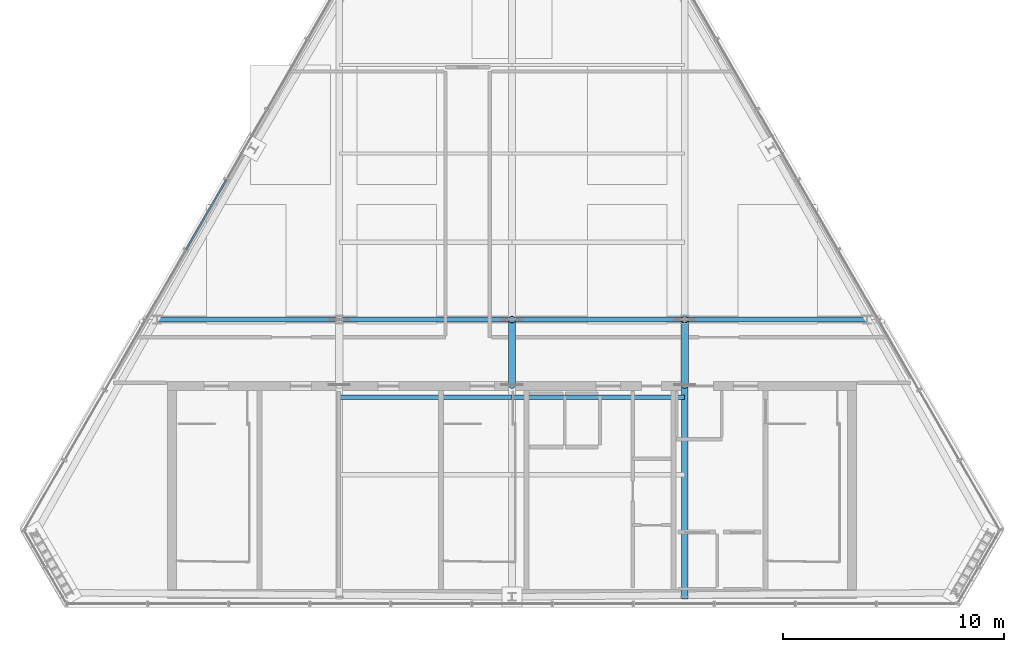
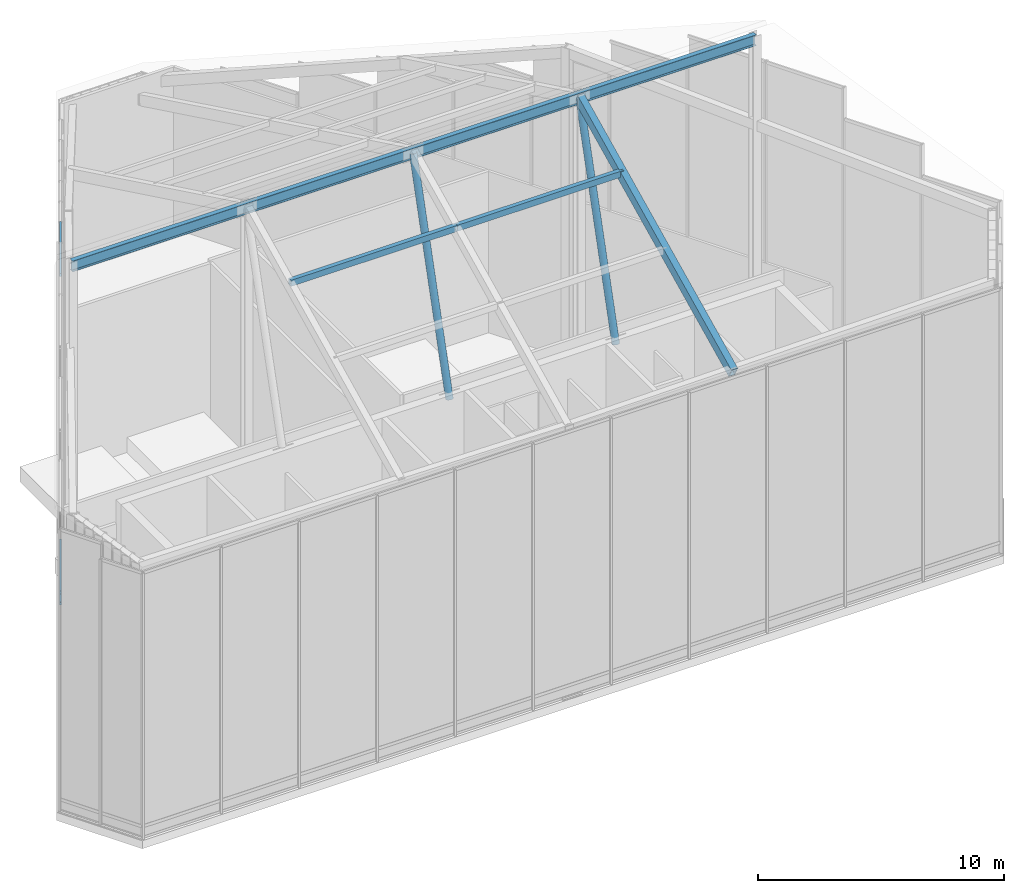
# One storey, part 16 of 36: 8 members, 1 beam, 1 element without a shape of its own.
"""IFC4 building model written with IfcOpenShell, lengths in metres."""

from ifc_helpers import new_model, si_unit, direction, frame, origin, origin_2d, place, context, subcontext, project, spatial, hollow_rectangle, hollow_circle, i_section, extrude, material, layer, layer_set, material_profile, profile_set, type_object, element, aggregate, save


model = new_model("IFC4")

# Units and contexts
model_context = context("Model", 3, precision=1e-05, world=origin(), true_north=direction((0.0, 1.0)))
body_context = subcontext(model_context, "Body", "Model", "MODEL_VIEW")
ifc_project = project(units=[si_unit("LENGTHUNIT", "METRE"), si_unit("AREAUNIT", "SQUARE_METRE"), si_unit("VOLUMEUNIT", "CUBIC_METRE"), si_unit("PLANEANGLEUNIT", "RADIAN"), si_unit("MASSUNIT", "GRAM", prefix="KILO")], contexts=[model_context])

# Site, building, storey
site_placement = place(None, origin())
site = spatial("IfcSite", under=ifc_project, at=site_placement, CompositionType="ELEMENT")
building_placement = place(site_placement, origin())
building = spatial("IfcBuilding", under=site, at=building_placement, Name="Ndaravel Arena Tower", CompositionType="ELEMENT")
storey_placement = place(building_placement, frame((0.0, 0.0, 308.10009765625)))
storey = spatial("IfcBuildingStorey", under=building, at=storey_placement, Name="Roof Crown", CompositionType="ELEMENT", Elevation=308.10009765625)

# Beam
ifc_material_1 = material(Name="Steel S355", Category="steel")
ifc_material_profile_1 = material_profile(ifc_material_1, i_section(OverallWidth=0.210693359375, OverallDepth=0.53955078125, WebThickness=0.01171875, FlangeThickness=0.018798828125, FilletRadius=0.0126953125, at=origin_2d()), Name="UB 533x210x109")
ifc_profile_set_1 = profile_set([ifc_material_profile_1], Name="Steel S355")
beam_type = type_object("IfcBeamType", Name="BM-GIRD-UB533", PredefinedType="BEAM", material=ifc_profile_set_1)
beam_placement = place(storey_placement, frame((25.966552734375, 18.0, 19.19091796875), z_axis=(1.0, 0.0, 0.0), x_axis=(0.0, 1.0, 0.0)))
element("IfcBeam", 1, at=beam_placement, inside=storey, type_object=beam_type, Name="Crown Main Ridge Girder CRG-01", PredefinedType="BEAM", context=body_context, shape_type="SweptSolid", body=[
    extrude(i_section(OverallWidth=0.210693359375, OverallDepth=0.53955078125, WebThickness=0.01171875, FlangeThickness=0.018798828125, FilletRadius=0.0126953125, at=origin_2d()), origin(), (0.0, 0.0, 1.0), 32.06689453125),
])

# Members
ifc_material_2 = material(Name="Steel S355", Category="steel")
ifc_material_profile_2 = material_profile(ifc_material_2, hollow_rectangle(XDim=0.199951171875, YDim=0.300048828125, WallThickness=0.012451171875, at=origin_2d()), Name="RHS 300x200x12.5")
ifc_profile_set_2 = profile_set([ifc_material_profile_2], Name="Steel S355")
member_type_1 = type_object("IfcMemberType", Name="MEM-CRN-PURLIN1", PredefinedType="PURLIN", material=ifc_profile_set_2)
for number, where, z_axis, x_axis, name in (
    (2, (34.199951171875, 14.5, 17.593505859375), (1.0, 0.0, 0.0), (0.0, 1.0, 0.0), "Crown Roof Purlin West CRP-A2"),
    (3, (42.0, 14.5, 17.593505859375), (1.0, 0.0, 0.0), (0.0, 1.0, 0.0), "Crown Roof Purlin East CRP-B2"),
):
    element("IfcMember", number, at=place(storey_placement, frame(where, z_axis=z_axis, x_axis=x_axis)), inside=storey, type_object=member_type_1, Name=name, PredefinedType="PURLIN", context=body_context, shape_type="SweptSolid", body=[
        extrude(hollow_rectangle(XDim=0.199951171875, YDim=0.300048828125, WallThickness=0.012451171875, at=origin_2d()), origin(), (0.0, 0.0, 1.0), 7.800048828125),
    ])
ifc_material_3 = material(Name="Steel S355", Category="steel")
ifc_material_profile_3 = material_profile(ifc_material_3, hollow_rectangle(XDim=0.300048828125, YDim=0.5, WallThickness=0.02001953125, at=origin_2d()), Name="RHS 500x300x20")
ifc_profile_set_3 = profile_set([ifc_material_profile_3], Name="Steel S355")
member_type_2 = type_object("IfcMemberType", Name="MEM-CRN-RAFTER", PredefinedType="RAFTER", material=ifc_profile_set_3)
member_1_placement = place(storey_placement, frame((49.800048828125, 5.5, 13.11376953125), z_axis=(0.0, 0.900208834512, 0.435458441491), x_axis=(-1.0, 0.0, 0.0)))
element("IfcMember", 4, at=member_1_placement, inside=storey, type_object=member_type_2, Name="Crown South Sloped Rafter CSR-3", PredefinedType="RAFTER", context=body_context, shape_type="SweptSolid", body=[
    extrude(hollow_rectangle(XDim=0.300048828125, YDim=0.5, WallThickness=0.02001953125, at=origin_2d()), origin(), (0.0, 0.0, 1.0), 13.8857421875),
])
ifc_material_4 = material(Name="Steel S355", Category="steel")
ifc_material_profile_4 = material_profile(ifc_material_4, hollow_circle(Radius=0.161865234375, WallThickness=0.012451171875, at=origin_2d()), Name="CHS 323.9x12.5")
ifc_profile_set_4 = profile_set([ifc_material_profile_4], Name="Steel S355")
member_type_3 = type_object("IfcMemberType", Name="MEM-CRN-STRUT", PredefinedType="STRUT", material=ifc_profile_set_4)
for number, where, z_axis, x_axis, name in (
    (5, (42.0, 15.050048828125, 8.75), (0.0, 0.272631465331, 0.962118539532), (-1.0, 0.0, 0.0), "Crown Ridge Bracing Strut CBS-2"),
    (6, (49.800048828125, 15.050048828125, 8.75), (0.0, 0.272631465331, 0.962118539532), (-1.0, 0.0, 0.0), "Crown Ridge Bracing Strut CBS-3"),
):
    element("IfcMember", number, at=place(storey_placement, frame(where, z_axis=z_axis, x_axis=x_axis)), inside=storey, type_object=member_type_3, Name=name, PredefinedType="STRUT", context=body_context, shape_type="SweptSolid", body=[
        extrude(hollow_circle(Radius=0.161865234375, WallThickness=0.012451171875, at=origin_2d()), origin(), (0.0, 0.0, 1.0), 10.8203125),
    ])

# Curtain wall, members
ifc_material_5 = material(Name="Aluminium", Category="aluminium")
ifc_layer = layer(ifc_material_5, 0.179931640625)
ifc_layer_set = layer_set([ifc_layer], Name="Aluminium")
curtain_wall_type = type_object("IfcCurtainWallType", Name="CW-SYS-06", PredefinedType="NOTDEFINED", material=ifc_layer_set)
curtain_wall_placement = place(storey_placement, origin())
curtain_wall = element("IfcCurtainWall", 7, at=curtain_wall_placement, inside=storey, type_object=curtain_wall_type, Name="Roof Crown Sloped Crown Lantern Curtain Wall CW-CROWN-E05-S07", PredefinedType="NOTDEFINED")
ifc_material_6 = material(Name="Aluminium", Category="aluminium")
ifc_material_profile_5 = material_profile(ifc_material_6, hollow_rectangle(XDim=0.074951171875, YDim=0.14990234375, WallThickness=0.00390625, at=origin_2d()), Name="CW TRANSOM 75x150x4")
ifc_profile_set_5 = profile_set([ifc_material_profile_5], Name="Aluminium")
member_type_4 = type_object("IfcMemberType", Name="MEM-CW-TRN150", PredefinedType="USERDEFINED", material=ifc_profile_set_5)
member_2_placement = place(storey_placement, frame((29.1083984375, 24.32177734375, 0.039794921875), z_axis=(-0.499972845398, -0.866041080934, 0.0), x_axis=(0.866041080934, -0.499972845398, 0.0)))
member_2 = element("IfcMember", 8, at=member_2_placement, type_object=member_type_4, Name="CW-CROWN-E05-S07 Transom 01", ObjectType="TRANSOM", PredefinedType="USERDEFINED", context=body_context, shape_type="SweptSolid", body=[
    extrude(hollow_rectangle(XDim=0.074951171875, YDim=0.14990234375, WallThickness=0.00390625, at=origin_2d()), origin(), (0.0, 0.0, 1.0), 3.657470703125),
])
member_3_placement = place(storey_placement, frame((29.1083984375, 24.32177734375, 0.599853515625), z_axis=(-0.499972845398, -0.866041080934, 0.0), x_axis=(0.866041080934, -0.499972845398, 0.0)))
member_3 = element("IfcMember", 9, at=member_3_placement, type_object=member_type_4, Name="CW-CROWN-E05-S07 Transom 02", ObjectType="TRANSOM", PredefinedType="USERDEFINED", context=body_context, shape_type="SweptSolid", body=[
    extrude(hollow_rectangle(XDim=0.074951171875, YDim=0.14990234375, WallThickness=0.00390625, at=origin_2d()), origin(), (0.0, 0.0, 1.0), 3.657470703125),
])
member_4_placement = place(storey_placement, frame((29.1083984375, 24.32177734375, 16.34716796875), z_axis=(-0.499972845398, -0.866041080934, 0.0), x_axis=(0.866041080934, -0.499972845398, 0.0)))
member_4 = element("IfcMember", 10, at=member_4_placement, type_object=member_type_4, Name="CW-CROWN-E05-S07 Transom 03", ObjectType="TRANSOM", PredefinedType="USERDEFINED", context=body_context, shape_type="SweptSolid", body=[
    extrude(hollow_rectangle(XDim=0.074951171875, YDim=0.14990234375, WallThickness=0.00390625, at=origin_2d()), origin(), (0.0, 0.0, 1.0), 3.657470703125),
])
aggregate(curtain_wall, [member_2, member_3, member_4])

save(model, "model.ifc")
